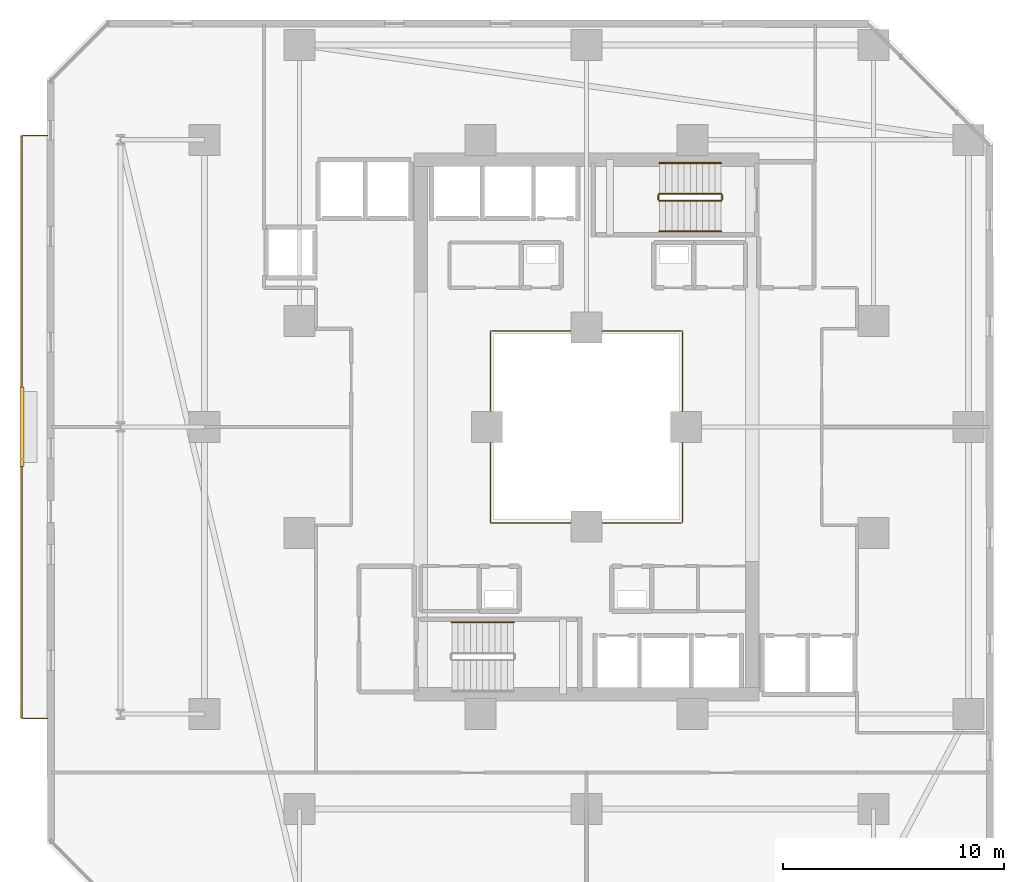
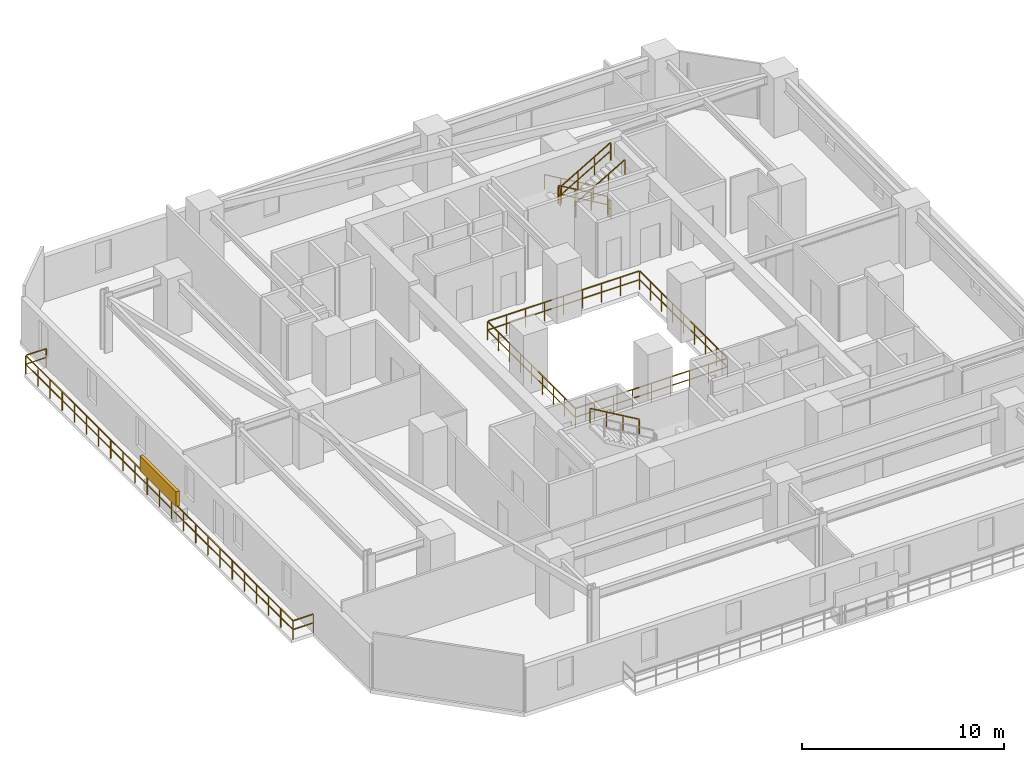
# One storey, part 30 of 33: 9 railings, 1 shading device.
"""IFC4 building model written with IfcOpenShell, lengths in metres."""

from ifc_helpers import new_model, si_unit, direction, frame, origin, origin_2d, place, context, subcontext, project, spatial, rectangle, extrude, material, type_object, element, save


model = new_model("IFC4")

# Units and contexts
model_context = context("Model", 3, precision=1e-05, world=origin(), true_north=direction((0.0, 1.0)))
body_context = subcontext(model_context, "Body", "Model", "MODEL_VIEW")
ifc_project = project(units=[si_unit("LENGTHUNIT", "METRE"), si_unit("AREAUNIT", "SQUARE_METRE"), si_unit("VOLUMEUNIT", "CUBIC_METRE"), si_unit("PLANEANGLEUNIT", "RADIAN"), si_unit("MASSUNIT", "GRAM", prefix="KILO")], contexts=[model_context])

# Site, building, storey
site_placement = place(None, origin())
site = spatial("IfcSite", under=ifc_project, at=site_placement, CompositionType="ELEMENT")
building_placement = place(site_placement, origin())
building = spatial("IfcBuilding", under=site, at=building_placement, Name="Thornwick Lancets Civic Towers", CompositionType="ELEMENT")
storey_placement = place(building_placement, frame((0.0, 0.0, 35.10009765625)))
storey = spatial("IfcBuildingStorey", under=building, at=storey_placement, Name="L08", CompositionType="ELEMENT", Elevation=35.10009765625)

# Railings
ifc_material_1 = material(Name="Laminated glass and bronze steel S355", Category="steel")
railing_type_1 = type_object("IfcRailingType", Name="RAIL_ATRIUM_GUARD", PredefinedType="BALUSTRADE", material=ifc_material_1)
railing_1_placement = place(storey_placement, frame((21.159912109375, 22.659912109375, 0.0)))
element("IfcRailing", 1, at=railing_1_placement, inside=storey, type_object=railing_type_1, Name="L08 Tower A Central Atrium Guard Balustrade", PredefinedType="BALUSTRADE", context=body_context, shape_type="SweptSolid", body=[
    extrude(rectangle(XDim=0.048095703125, YDim=0.048095703125, at=origin_2d()), frame((0.0, 0.0, 1.1259765625), z_axis=(1.0, 0.0, 0.0), x_axis=(0.0, 1.0, 0.0)), (0.0, 0.0, 1.0), 8.64892578125),
    extrude(rectangle(XDim=0.0419921875, YDim=0.0419921875, at=origin_2d()), frame((0.03759765625, 0.0, 0.597900390625), z_axis=(1.0, 0.0, 0.0), x_axis=(0.0, 1.0, 0.0)), (0.0, 0.0, 1.0), 1.010009765625),
    extrude(rectangle(XDim=0.0419921875, YDim=0.0419921875, at=origin_2d()), frame((1.12255859375, 0.0, 0.597900390625), z_axis=(1.0, 0.0, 0.0), x_axis=(0.0, 1.0, 0.0)), (0.0, 0.0, 1.0), 1.010009765625),
    extrude(rectangle(XDim=0.0419921875, YDim=0.0419921875, at=origin_2d()), frame((2.20751953125, 0.0, 0.597900390625), z_axis=(1.0, 0.0, 0.0), x_axis=(0.0, 1.0, 0.0)), (0.0, 0.0, 1.0), 1.010009765625),
    extrude(rectangle(XDim=0.0419921875, YDim=0.0419921875, at=origin_2d()), frame((3.29248046875, 0.0, 0.597900390625), z_axis=(1.0, 0.0, 0.0), x_axis=(0.0, 1.0, 0.0)), (0.0, 0.0, 1.0), 1.010009765625),
    extrude(rectangle(XDim=0.0419921875, YDim=0.0419921875, at=origin_2d()), frame((4.377685546875, 0.0, 0.597900390625), z_axis=(1.0, 0.0, 0.0), x_axis=(0.0, 1.0, 0.0)), (0.0, 0.0, 1.0), 1.010009765625),
    extrude(rectangle(XDim=0.0419921875, YDim=0.0419921875, at=origin_2d()), frame((5.462646484375, 0.0, 0.597900390625), z_axis=(1.0, 0.0, 0.0), x_axis=(0.0, 1.0, 0.0)), (0.0, 0.0, 1.0), 1.010009765625),
    extrude(rectangle(XDim=0.0419921875, YDim=0.0419921875, at=origin_2d()), frame((6.547607421875, 0.0, 0.597900390625), z_axis=(1.0, 0.0, 0.0), x_axis=(0.0, 1.0, 0.0)), (0.0, 0.0, 1.0), 1.010009765625),
    extrude(rectangle(XDim=0.0419921875, YDim=0.0419921875, at=origin_2d()), frame((7.632568359375, 0.0, 0.597900390625), z_axis=(1.0, 0.0, 0.0), x_axis=(0.0, 1.0, 0.0)), (0.0, 0.0, 1.0), 1.010009765625),
    extrude(rectangle(XDim=0.048095703125, YDim=0.048095703125, at=origin_2d()), frame((8.68017578125, 0.03125, 1.1259765625), z_axis=(0.0, 1.0, 0.0), x_axis=(-1.0, 0.0, 0.0)), (0.0, 0.0, 1.0), 8.61767578125),
    extrude(rectangle(XDim=0.0419921875, YDim=0.0419921875, at=origin_2d()), frame((8.68017578125, 0.03759765625, 0.597900390625), z_axis=(0.0, 1.0, 0.0), x_axis=(-1.0, 0.0, 0.0)), (0.0, 0.0, 1.0), 1.010009765625),
    extrude(rectangle(XDim=0.0419921875, YDim=0.0419921875, at=origin_2d()), frame((8.68017578125, 1.12255859375, 0.597900390625), z_axis=(0.0, 1.0, 0.0), x_axis=(-1.0, 0.0, 0.0)), (0.0, 0.0, 1.0), 1.010009765625),
    extrude(rectangle(XDim=0.0419921875, YDim=0.0419921875, at=origin_2d()), frame((8.68017578125, 2.20751953125, 0.597900390625), z_axis=(0.0, 1.0, 0.0), x_axis=(-1.0, 0.0, 0.0)), (0.0, 0.0, 1.0), 1.010009765625),
    extrude(rectangle(XDim=0.0419921875, YDim=0.0419921875, at=origin_2d()), frame((8.68017578125, 3.29248046875, 0.597900390625), z_axis=(0.0, 1.0, 0.0), x_axis=(-1.0, 0.0, 0.0)), (0.0, 0.0, 1.0), 1.010009765625),
    extrude(rectangle(XDim=0.0419921875, YDim=0.0419921875, at=origin_2d()), frame((8.68017578125, 4.377685546875, 0.597900390625), z_axis=(0.0, 1.0, 0.0), x_axis=(-1.0, 0.0, 0.0)), (0.0, 0.0, 1.0), 1.010009765625),
    extrude(rectangle(XDim=0.0419921875, YDim=0.0419921875, at=origin_2d()), frame((8.68017578125, 5.462646484375, 0.597900390625), z_axis=(0.0, 1.0, 0.0), x_axis=(-1.0, 0.0, 0.0)), (0.0, 0.0, 1.0), 1.010009765625),
    extrude(rectangle(XDim=0.0419921875, YDim=0.0419921875, at=origin_2d()), frame((8.68017578125, 6.547607421875, 0.597900390625), z_axis=(0.0, 1.0, 0.0), x_axis=(-1.0, 0.0, 0.0)), (0.0, 0.0, 1.0), 1.010009765625),
    extrude(rectangle(XDim=0.0419921875, YDim=0.0419921875, at=origin_2d()), frame((8.68017578125, 7.632568359375, 0.597900390625), z_axis=(0.0, 1.0, 0.0), x_axis=(-1.0, 0.0, 0.0)), (0.0, 0.0, 1.0), 1.010009765625),
    extrude(rectangle(XDim=0.048095703125, YDim=0.048095703125, at=origin_2d()), frame((8.64892578125, 8.68017578125, 1.1259765625), z_axis=(-1.0, 0.0, 0.0), x_axis=(0.0, -1.0, 0.0)), (0.0, 0.0, 1.0), 8.61767578125),
    extrude(rectangle(XDim=0.0419921875, YDim=0.0419921875, at=origin_2d()), frame((8.642578125, 8.68017578125, 0.597900390625), z_axis=(-1.0, 0.0, 0.0), x_axis=(0.0, -1.0, 0.0)), (0.0, 0.0, 1.0), 1.010009765625),
    extrude(rectangle(XDim=0.0419921875, YDim=0.0419921875, at=origin_2d()), frame((7.5576171875, 8.68017578125, 0.597900390625), z_axis=(-1.0, 0.0, 0.0), x_axis=(0.0, -1.0, 0.0)), (0.0, 0.0, 1.0), 1.010009765625),
    extrude(rectangle(XDim=0.0419921875, YDim=0.0419921875, at=origin_2d()), frame((6.47265625, 8.68017578125, 0.597900390625), z_axis=(-1.0, 0.0, 0.0), x_axis=(0.0, -1.0, 0.0)), (0.0, 0.0, 1.0), 1.010009765625),
    extrude(rectangle(XDim=0.0419921875, YDim=0.0419921875, at=origin_2d()), frame((5.3876953125, 8.68017578125, 0.597900390625), z_axis=(-1.0, 0.0, 0.0), x_axis=(0.0, -1.0, 0.0)), (0.0, 0.0, 1.0), 1.010009765625),
    extrude(rectangle(XDim=0.0419921875, YDim=0.0419921875, at=origin_2d()), frame((4.302490234375, 8.68017578125, 0.597900390625), z_axis=(-1.0, 0.0, 0.0), x_axis=(0.0, -1.0, 0.0)), (0.0, 0.0, 1.0), 1.010009765625),
    extrude(rectangle(XDim=0.0419921875, YDim=0.0419921875, at=origin_2d()), frame((3.217529296875, 8.68017578125, 0.597900390625), z_axis=(-1.0, 0.0, 0.0), x_axis=(0.0, -1.0, 0.0)), (0.0, 0.0, 1.0), 1.010009765625),
    extrude(rectangle(XDim=0.0419921875, YDim=0.0419921875, at=origin_2d()), frame((2.132568359375, 8.68017578125, 0.597900390625), z_axis=(-1.0, 0.0, 0.0), x_axis=(0.0, -1.0, 0.0)), (0.0, 0.0, 1.0), 1.010009765625),
    extrude(rectangle(XDim=0.0419921875, YDim=0.0419921875, at=origin_2d()), frame((1.047607421875, 8.68017578125, 0.597900390625), z_axis=(-1.0, 0.0, 0.0), x_axis=(0.0, -1.0, 0.0)), (0.0, 0.0, 1.0), 1.010009765625),
    extrude(rectangle(XDim=0.048095703125, YDim=0.048095703125, at=origin_2d()), frame((0.0, 8.64892578125, 1.1259765625), z_axis=(0.0, -1.0, 0.0), x_axis=(1.0, 0.0, 0.0)), (0.0, 0.0, 1.0), 8.64892578125),
    extrude(rectangle(XDim=0.0419921875, YDim=0.0419921875, at=origin_2d()), frame((0.0, 8.642578125, 0.597900390625), z_axis=(0.0, -1.0, 0.0), x_axis=(1.0, 0.0, 0.0)), (0.0, 0.0, 1.0), 1.010009765625),
    extrude(rectangle(XDim=0.0419921875, YDim=0.0419921875, at=origin_2d()), frame((0.0, 7.5576171875, 0.597900390625), z_axis=(0.0, -1.0, 0.0), x_axis=(1.0, 0.0, 0.0)), (0.0, 0.0, 1.0), 1.010009765625),
    extrude(rectangle(XDim=0.0419921875, YDim=0.0419921875, at=origin_2d()), frame((0.0, 6.47265625, 0.597900390625), z_axis=(0.0, -1.0, 0.0), x_axis=(1.0, 0.0, 0.0)), (0.0, 0.0, 1.0), 1.010009765625),
    extrude(rectangle(XDim=0.0419921875, YDim=0.0419921875, at=origin_2d()), frame((0.0, 5.3876953125, 0.597900390625), z_axis=(0.0, -1.0, 0.0), x_axis=(1.0, 0.0, 0.0)), (0.0, 0.0, 1.0), 1.010009765625),
    extrude(rectangle(XDim=0.0419921875, YDim=0.0419921875, at=origin_2d()), frame((0.0, 4.302490234375, 0.597900390625), z_axis=(0.0, -1.0, 0.0), x_axis=(1.0, 0.0, 0.0)), (0.0, 0.0, 1.0), 1.010009765625),
    extrude(rectangle(XDim=0.0419921875, YDim=0.0419921875, at=origin_2d()), frame((0.0, 3.217529296875, 0.597900390625), z_axis=(0.0, -1.0, 0.0), x_axis=(1.0, 0.0, 0.0)), (0.0, 0.0, 1.0), 1.010009765625),
    extrude(rectangle(XDim=0.0419921875, YDim=0.0419921875, at=origin_2d()), frame((0.0, 2.132568359375, 0.597900390625), z_axis=(0.0, -1.0, 0.0), x_axis=(1.0, 0.0, 0.0)), (0.0, 0.0, 1.0), 1.010009765625),
    extrude(rectangle(XDim=0.0419921875, YDim=0.0419921875, at=origin_2d()), frame((0.0, 1.047607421875, 0.597900390625), z_axis=(0.0, -1.0, 0.0), x_axis=(1.0, 0.0, 0.0)), (0.0, 0.0, 1.0), 1.010009765625),
    extrude(rectangle(XDim=0.0419921875, YDim=0.0419921875, at=origin_2d()), origin(), (0.0, 0.0, 1.0), 1.095703125),
    extrude(rectangle(XDim=0.0419921875, YDim=0.0419921875, at=origin_2d()), frame((1.0849609375, 0.0, 0.0)), (0.0, 0.0, 1.0), 1.095703125),
    extrude(rectangle(XDim=0.0419921875, YDim=0.0419921875, at=origin_2d()), frame((2.169921875, 0.0, 0.0)), (0.0, 0.0, 1.0), 1.095703125),
    extrude(rectangle(XDim=0.0419921875, YDim=0.0419921875, at=origin_2d()), frame((3.255126953125, 0.0, 0.0)), (0.0, 0.0, 1.0), 1.095703125),
    extrude(rectangle(XDim=0.0419921875, YDim=0.0419921875, at=origin_2d()), frame((4.340087890625, 0.0, 0.0)), (0.0, 0.0, 1.0), 1.095703125),
    extrude(rectangle(XDim=0.0419921875, YDim=0.0419921875, at=origin_2d()), frame((5.425048828125, 0.0, 0.0)), (0.0, 0.0, 1.0), 1.095703125),
    extrude(rectangle(XDim=0.0419921875, YDim=0.0419921875, at=origin_2d()), frame((6.51025390625, 0.0, 0.0)), (0.0, 0.0, 1.0), 1.095703125),
    extrude(rectangle(XDim=0.0419921875, YDim=0.0419921875, at=origin_2d()), frame((7.59521484375, 0.0, 0.0)), (0.0, 0.0, 1.0), 1.095703125),
    extrude(rectangle(XDim=0.0419921875, YDim=0.0419921875, at=origin_2d()), frame((8.68017578125, 0.0, 0.0)), (0.0, 0.0, 1.0), 1.095703125),
    extrude(rectangle(XDim=0.0419921875, YDim=0.0419921875, at=origin_2d()), frame((8.68017578125, 1.0849609375, 0.0)), (0.0, 0.0, 1.0), 1.095703125),
    extrude(rectangle(XDim=0.0419921875, YDim=0.0419921875, at=origin_2d()), frame((8.68017578125, 2.169921875, 0.0)), (0.0, 0.0, 1.0), 1.095703125),
    extrude(rectangle(XDim=0.0419921875, YDim=0.0419921875, at=origin_2d()), frame((8.68017578125, 3.255126953125, 0.0)), (0.0, 0.0, 1.0), 1.095703125),
    extrude(rectangle(XDim=0.0419921875, YDim=0.0419921875, at=origin_2d()), frame((8.68017578125, 4.340087890625, 0.0)), (0.0, 0.0, 1.0), 1.095703125),
    extrude(rectangle(XDim=0.0419921875, YDim=0.0419921875, at=origin_2d()), frame((8.68017578125, 5.425048828125, 0.0)), (0.0, 0.0, 1.0), 1.095703125),
    extrude(rectangle(XDim=0.0419921875, YDim=0.0419921875, at=origin_2d()), frame((8.68017578125, 6.51025390625, 0.0)), (0.0, 0.0, 1.0), 1.095703125),
    extrude(rectangle(XDim=0.0419921875, YDim=0.0419921875, at=origin_2d()), frame((8.68017578125, 7.59521484375, 0.0)), (0.0, 0.0, 1.0), 1.095703125),
    extrude(rectangle(XDim=0.0419921875, YDim=0.0419921875, at=origin_2d()), frame((8.68017578125, 8.68017578125, 0.0)), (0.0, 0.0, 1.0), 1.095703125),
    extrude(rectangle(XDim=0.0419921875, YDim=0.0419921875, at=origin_2d()), frame((7.59521484375, 8.68017578125, 0.0)), (0.0, 0.0, 1.0), 1.095703125),
    extrude(rectangle(XDim=0.0419921875, YDim=0.0419921875, at=origin_2d()), frame((6.51025390625, 8.68017578125, 0.0)), (0.0, 0.0, 1.0), 1.095703125),
    extrude(rectangle(XDim=0.0419921875, YDim=0.0419921875, at=origin_2d()), frame((5.425048828125, 8.68017578125, 0.0)), (0.0, 0.0, 1.0), 1.095703125),
    extrude(rectangle(XDim=0.0419921875, YDim=0.0419921875, at=origin_2d()), frame((4.340087890625, 8.68017578125, 0.0)), (0.0, 0.0, 1.0), 1.095703125),
    extrude(rectangle(XDim=0.0419921875, YDim=0.0419921875, at=origin_2d()), frame((3.255126953125, 8.68017578125, 0.0)), (0.0, 0.0, 1.0), 1.095703125),
    extrude(rectangle(XDim=0.0419921875, YDim=0.0419921875, at=origin_2d()), frame((2.169921875, 8.68017578125, 0.0)), (0.0, 0.0, 1.0), 1.095703125),
    extrude(rectangle(XDim=0.0419921875, YDim=0.0419921875, at=origin_2d()), frame((1.0849609375, 8.68017578125, 0.0)), (0.0, 0.0, 1.0), 1.095703125),
    extrude(rectangle(XDim=0.0419921875, YDim=0.0419921875, at=origin_2d()), frame((0.0, 8.68017578125, 0.0)), (0.0, 0.0, 1.0), 1.095703125),
    extrude(rectangle(XDim=0.0419921875, YDim=0.0419921875, at=origin_2d()), frame((0.0, 7.59521484375, 0.0)), (0.0, 0.0, 1.0), 1.095703125),
    extrude(rectangle(XDim=0.0419921875, YDim=0.0419921875, at=origin_2d()), frame((0.0, 6.51025390625, 0.0)), (0.0, 0.0, 1.0), 1.095703125),
    extrude(rectangle(XDim=0.0419921875, YDim=0.0419921875, at=origin_2d()), frame((0.0, 5.425048828125, 0.0)), (0.0, 0.0, 1.0), 1.095703125),
    extrude(rectangle(XDim=0.0419921875, YDim=0.0419921875, at=origin_2d()), frame((0.0, 4.340087890625, 0.0)), (0.0, 0.0, 1.0), 1.095703125),
    extrude(rectangle(XDim=0.0419921875, YDim=0.0419921875, at=origin_2d()), frame((0.0, 3.255126953125, 0.0)), (0.0, 0.0, 1.0), 1.095703125),
    extrude(rectangle(XDim=0.0419921875, YDim=0.0419921875, at=origin_2d()), frame((0.0, 2.169921875, 0.0)), (0.0, 0.0, 1.0), 1.095703125),
    extrude(rectangle(XDim=0.0419921875, YDim=0.0419921875, at=origin_2d()), frame((0.0, 1.0849609375, 0.0)), (0.0, 0.0, 1.0), 1.095703125),
])
ifc_material_2 = material(Name="Brushed stainless steel S355", Category="steel")
railing_type_2 = type_object("IfcRailingType", Name="RAIL_HANDRAIL", PredefinedType="HANDRAIL", material=ifc_material_2)
for number, where, name in (
    (2, (22.199951171875, 18.14990234375, 1.963623046875), "L08 ST-A1 stair handrail 2"),
    (3, (31.60009765625, 38.949951171875, 0.16357421875), "L08 ST-A2 stair handrail 1"),
):
    element("IfcRailing", number, at=place(storey_placement, frame(where)), inside=storey, type_object=railing_type_2, Name=name, PredefinedType="HANDRAIL", context=body_context, shape_type="SweptSolid", body=[
        extrude(rectangle(XDim=0.048095703125, YDim=0.048095703125, at=origin_2d()), frame((0.0, 0.0, 0.8857421875), z_axis=(-0.863393664356, 0.0, 0.504530851732), x_axis=(0.0, -1.0, 0.0)), (0.0, 0.0, 1.0), 3.2431640625),
        extrude(rectangle(XDim=0.0419921875, YDim=0.0419921875, at=origin_2d()), origin(), (0.0, 0.0, 1.0), 0.855712890625),
        extrude(rectangle(XDim=0.0419921875, YDim=0.0419921875, at=origin_2d()), frame((-0.933349609375, 0.0, 0.54541015625)), (0.0, 0.0, 1.0), 0.855712890625),
        extrude(rectangle(XDim=0.0419921875, YDim=0.0419921875, at=origin_2d()), frame((-1.86669921875, 0.0, 1.0908203125)), (0.0, 0.0, 1.0), 0.855712890625),
        extrude(rectangle(XDim=0.0419921875, YDim=0.0419921875, at=origin_2d()), frame((-2.800048828125, 0.0, 1.63623046875)), (0.0, 0.0, 1.0), 0.855712890625),
    ])
railing_2_placement = place(storey_placement, frame((28.800048828125, 35.85009765625, 1.963623046875)))
element("IfcRailing", 4, at=railing_2_placement, inside=storey, type_object=railing_type_2, Name="L08 ST-A2 stair handrail 2", PredefinedType="HANDRAIL", context=body_context, shape_type="SweptSolid", body=[
    extrude(rectangle(XDim=0.048095703125, YDim=0.048095703125, at=origin_2d()), frame((0.0, 0.0, 0.8857421875), z_axis=(0.863393664356, 0.0, 0.504530851732), x_axis=(0.0, 1.0, 0.0)), (0.0, 0.0, 1.0), 3.2431640625),
    extrude(rectangle(XDim=0.0419921875, YDim=0.0419921875, at=origin_2d()), origin(), (0.0, 0.0, 1.0), 0.855712890625),
    extrude(rectangle(XDim=0.0419921875, YDim=0.0419921875, at=origin_2d()), frame((0.933349609375, 0.0, 0.54541015625)), (0.0, 0.0, 1.0), 0.855712890625),
    extrude(rectangle(XDim=0.0419921875, YDim=0.0419921875, at=origin_2d()), frame((1.86669921875, 0.0, 1.0908203125)), (0.0, 0.0, 1.0), 0.855712890625),
    extrude(rectangle(XDim=0.0419921875, YDim=0.0419921875, at=origin_2d()), frame((2.800048828125, 0.0, 1.63623046875)), (0.0, 0.0, 1.0), 0.855712890625),
])
ifc_material_3 = material(Name="Steel S355JR", Category="steel")
railing_type_3 = type_object("IfcRailingType", Name="RAIL_STAIR_GUARD", PredefinedType="GUARDRAIL", material=ifc_material_3)
railing_3_placement = place(storey_placement, frame((31.60009765625, 37.550048828125, 0.16357421875)))
element("IfcRailing", 5, at=railing_3_placement, inside=storey, type_object=railing_type_3, Name="L08 ST-A2 stair guard 1", PredefinedType="GUARDRAIL", context=body_context, shape_type="SweptSolid", body=[
    extrude(rectangle(XDim=0.048095703125, YDim=0.048095703125, at=origin_2d()), frame((0.0, 0.0, 1.076171875), z_axis=(-0.863393664356, 0.0, 0.504530851732), x_axis=(0.0, -1.0, 0.0)), (0.0, 0.0, 1.0), 3.2431640625),
    extrude(rectangle(XDim=0.0419921875, YDim=0.0419921875, at=origin_2d()), frame((-0.032470703125, 0.0, 0.591064453125), z_axis=(-0.863393664356, 0.0, 0.504530851732), x_axis=(0.0, -1.0, 0.0)), (0.0, 0.0, 1.0), 1.006103515625),
    extrude(rectangle(XDim=0.0419921875, YDim=0.0419921875, at=origin_2d()), frame((-0.9658203125, 0.0, 1.136474609375), z_axis=(-0.863393664356, 0.0, 0.504530851732), x_axis=(0.0, -1.0, 0.0)), (0.0, 0.0, 1.0), 1.006103515625),
    extrude(rectangle(XDim=0.0419921875, YDim=0.0419921875, at=origin_2d()), frame((-1.899169921875, 0.0, 1.681884765625), z_axis=(-0.863393664356, 0.0, 0.504530851732), x_axis=(0.0, -1.0, 0.0)), (0.0, 0.0, 1.0), 1.006103515625),
    extrude(rectangle(XDim=0.0419921875, YDim=0.0419921875, at=origin_2d()), origin(), (0.0, 0.0, 1.0), 1.0458984375),
    extrude(rectangle(XDim=0.0419921875, YDim=0.0419921875, at=origin_2d()), frame((-0.933349609375, 0.0, 0.54541015625)), (0.0, 0.0, 1.0), 1.0458984375),
    extrude(rectangle(XDim=0.0419921875, YDim=0.0419921875, at=origin_2d()), frame((-1.86669921875, 0.0, 1.0908203125)), (0.0, 0.0, 1.0), 1.0458984375),
    extrude(rectangle(XDim=0.0419921875, YDim=0.0419921875, at=origin_2d()), frame((-2.800048828125, 0.0, 1.63623046875)), (0.0, 0.0, 1.0), 1.0458984375),
])
railing_4_placement = place(storey_placement, frame((28.75, 37.5, 1.7998046875)))
element("IfcRailing", 6, at=railing_4_placement, inside=storey, type_object=railing_type_3, Name="L08 ST-A2 stair guard 2", PredefinedType="GUARDRAIL", context=body_context, shape_type="SweptSolid", body=[
    extrude(rectangle(XDim=0.048095703125, YDim=0.048095703125, at=origin_2d()), frame((0.0, 0.0, 1.076171875), z_axis=(0.0, -1.0, 0.0), x_axis=(1.0, 0.0, 0.0)), (0.0, 0.0, 1.0), 0.199951171875),
    extrude(rectangle(XDim=0.0419921875, YDim=0.0419921875, at=origin_2d()), frame((0.0, -0.03759765625, 0.572021484375), z_axis=(0.0, -1.0, 0.0), x_axis=(1.0, 0.0, 0.0)), (0.0, 0.0, 1.0), 0.125),
    extrude(rectangle(XDim=0.0419921875, YDim=0.0419921875, at=origin_2d()), origin(), (0.0, 0.0, 1.0), 1.0458984375),
    extrude(rectangle(XDim=0.0419921875, YDim=0.0419921875, at=origin_2d()), frame((0.0, -0.199951171875, 0.0)), (0.0, 0.0, 1.0), 1.0458984375),
])
railing_5_placement = place(storey_placement, frame((28.800048828125, 37.25, 1.963623046875)))
element("IfcRailing", 7, at=railing_5_placement, inside=storey, type_object=railing_type_3, Name="L08 ST-A2 stair guard 3", PredefinedType="GUARDRAIL", context=body_context, shape_type="SweptSolid", body=[
    extrude(rectangle(XDim=0.048095703125, YDim=0.048095703125, at=origin_2d()), frame((0.0, 0.0, 1.076171875), z_axis=(0.863393664356, 0.0, 0.504530851732), x_axis=(0.0, 1.0, 0.0)), (0.0, 0.0, 1.0), 3.2431640625),
    extrude(rectangle(XDim=0.0419921875, YDim=0.0419921875, at=origin_2d()), frame((0.032470703125, 0.0, 0.591064453125), z_axis=(0.863393664356, 0.0, 0.504530851732), x_axis=(0.0, 1.0, 0.0)), (0.0, 0.0, 1.0), 1.006103515625),
    extrude(rectangle(XDim=0.0419921875, YDim=0.0419921875, at=origin_2d()), frame((0.9658203125, 0.0, 1.136474609375), z_axis=(0.863393664356, 0.0, 0.504530851732), x_axis=(0.0, 1.0, 0.0)), (0.0, 0.0, 1.0), 1.006103515625),
    extrude(rectangle(XDim=0.0419921875, YDim=0.0419921875, at=origin_2d()), frame((1.899169921875, 0.0, 1.681884765625), z_axis=(0.863393664356, 0.0, 0.504530851732), x_axis=(0.0, 1.0, 0.0)), (0.0, 0.0, 1.0), 1.006103515625),
    extrude(rectangle(XDim=0.0419921875, YDim=0.0419921875, at=origin_2d()), origin(), (0.0, 0.0, 1.0), 1.0458984375),
    extrude(rectangle(XDim=0.0419921875, YDim=0.0419921875, at=origin_2d()), frame((0.933349609375, 0.0, 0.54541015625)), (0.0, 0.0, 1.0), 1.0458984375),
    extrude(rectangle(XDim=0.0419921875, YDim=0.0419921875, at=origin_2d()), frame((1.86669921875, 0.0, 1.0908203125)), (0.0, 0.0, 1.0), 1.0458984375),
    extrude(rectangle(XDim=0.0419921875, YDim=0.0419921875, at=origin_2d()), frame((2.800048828125, 0.0, 1.63623046875)), (0.0, 0.0, 1.0), 1.0458984375),
])
railing_6_placement = place(storey_placement, frame((31.64990234375, 37.5, 0.0)))
element("IfcRailing", 8, at=railing_6_placement, inside=storey, type_object=railing_type_3, Name="L08 ST-A2 stair guard 4", PredefinedType="GUARDRAIL", context=body_context, shape_type="SweptSolid", body=[
    extrude(rectangle(XDim=0.048095703125, YDim=0.048095703125, at=origin_2d()), frame((0.0, 0.0, 1.076171875), z_axis=(0.0, -1.0, 0.0), x_axis=(1.0, 0.0, 0.0)), (0.0, 0.0, 1.0), 0.199951171875),
    extrude(rectangle(XDim=0.0419921875, YDim=0.0419921875, at=origin_2d()), frame((0.0, -0.03759765625, 0.572021484375), z_axis=(0.0, -1.0, 0.0), x_axis=(1.0, 0.0, 0.0)), (0.0, 0.0, 1.0), 0.125),
    extrude(rectangle(XDim=0.0419921875, YDim=0.0419921875, at=origin_2d()), origin(), (0.0, 0.0, 1.0), 1.0458984375),
    extrude(rectangle(XDim=0.0419921875, YDim=0.0419921875, at=origin_2d()), frame((0.0, -0.199951171875, 0.0)), (0.0, 0.0, 1.0), 1.0458984375),
])
ifc_material_4 = material(Name="Terracotta-capped laminated glass balustrade S355", Category="masonry")
railing_type_4 = type_object("IfcRailingType", Name="RAIL_TERR_GUARD", PredefinedType="GUARDRAIL", material=ifc_material_4)
railing_7_placement = place(storey_placement, frame((1.10009765625, 13.800048828125, 0.0)))
element("IfcRailing", 9, at=railing_7_placement, inside=storey, type_object=railing_type_4, Name="L08 Tower A Balcony Guard W", PredefinedType="GUARDRAIL", context=body_context, shape_type="SweptSolid", body=[
    extrude(rectangle(XDim=0.048095703125, YDim=0.048095703125, at=origin_2d()), frame((0.0, 0.0, 1.1259765625), z_axis=(-1.0, 0.0, 0.0), x_axis=(0.0, -1.0, 0.0)), (0.0, 0.0, 1.0), 1.138916015625),
    extrude(rectangle(XDim=0.0419921875, YDim=0.0419921875, at=origin_2d()), frame((-0.03759765625, 0.0, 0.597900390625), z_axis=(-1.0, 0.0, 0.0), x_axis=(0.0, -1.0, 0.0)), (0.0, 0.0, 1.0), 1.09521484375),
    extrude(rectangle(XDim=0.048095703125, YDim=0.048095703125, at=origin_2d()), frame((-1.170166015625, 0.03125, 1.1259765625), z_axis=(0.0, 1.0, 0.0), x_axis=(-1.0, 0.0, 0.0)), (0.0, 0.0, 1.0), 26.33740234375),
    extrude(rectangle(XDim=0.0419921875, YDim=0.0419921875, at=origin_2d()), frame((-1.170166015625, 0.03759765625, 0.597900390625), z_axis=(0.0, 1.0, 0.0), x_axis=(-1.0, 0.0, 0.0)), (0.0, 0.0, 1.0), 1.125),
    extrude(rectangle(XDim=0.0419921875, YDim=0.0419921875, at=origin_2d()), frame((-1.170166015625, 1.237548828125, 0.597900390625), z_axis=(0.0, 1.0, 0.0), x_axis=(-1.0, 0.0, 0.0)), (0.0, 0.0, 1.0), 1.125),
    extrude(rectangle(XDim=0.0419921875, YDim=0.0419921875, at=origin_2d()), frame((-1.170166015625, 2.4375, 0.597900390625), z_axis=(0.0, 1.0, 0.0), x_axis=(-1.0, 0.0, 0.0)), (0.0, 0.0, 1.0), 1.125),
    extrude(rectangle(XDim=0.0419921875, YDim=0.0419921875, at=origin_2d()), frame((-1.170166015625, 3.637451171875, 0.597900390625), z_axis=(0.0, 1.0, 0.0), x_axis=(-1.0, 0.0, 0.0)), (0.0, 0.0, 1.0), 1.125),
    extrude(rectangle(XDim=0.0419921875, YDim=0.0419921875, at=origin_2d()), frame((-1.170166015625, 4.83740234375, 0.597900390625), z_axis=(0.0, 1.0, 0.0), x_axis=(-1.0, 0.0, 0.0)), (0.0, 0.0, 1.0), 1.125),
    extrude(rectangle(XDim=0.0419921875, YDim=0.0419921875, at=origin_2d()), frame((-1.170166015625, 6.037353515625, 0.597900390625), z_axis=(0.0, 1.0, 0.0), x_axis=(-1.0, 0.0, 0.0)), (0.0, 0.0, 1.0), 1.125),
    extrude(rectangle(XDim=0.0419921875, YDim=0.0419921875, at=origin_2d()), frame((-1.170166015625, 7.237548828125, 0.597900390625), z_axis=(0.0, 1.0, 0.0), x_axis=(-1.0, 0.0, 0.0)), (0.0, 0.0, 1.0), 1.125),
    extrude(rectangle(XDim=0.0419921875, YDim=0.0419921875, at=origin_2d()), frame((-1.170166015625, 8.4375, 0.597900390625), z_axis=(0.0, 1.0, 0.0), x_axis=(-1.0, 0.0, 0.0)), (0.0, 0.0, 1.0), 1.125),
    extrude(rectangle(XDim=0.0419921875, YDim=0.0419921875, at=origin_2d()), frame((-1.170166015625, 9.637451171875, 0.597900390625), z_axis=(0.0, 1.0, 0.0), x_axis=(-1.0, 0.0, 0.0)), (0.0, 0.0, 1.0), 1.125),
    extrude(rectangle(XDim=0.0419921875, YDim=0.0419921875, at=origin_2d()), frame((-1.170166015625, 10.83740234375, 0.597900390625), z_axis=(0.0, 1.0, 0.0), x_axis=(-1.0, 0.0, 0.0)), (0.0, 0.0, 1.0), 1.125),
    extrude(rectangle(XDim=0.0419921875, YDim=0.0419921875, at=origin_2d()), frame((-1.170166015625, 12.037353515625, 0.597900390625), z_axis=(0.0, 1.0, 0.0), x_axis=(-1.0, 0.0, 0.0)), (0.0, 0.0, 1.0), 1.125),
    extrude(rectangle(XDim=0.0419921875, YDim=0.0419921875, at=origin_2d()), frame((-1.170166015625, 13.237548828125, 0.597900390625), z_axis=(0.0, 1.0, 0.0), x_axis=(-1.0, 0.0, 0.0)), (0.0, 0.0, 1.0), 1.125),
    extrude(rectangle(XDim=0.0419921875, YDim=0.0419921875, at=origin_2d()), frame((-1.170166015625, 14.4375, 0.597900390625), z_axis=(0.0, 1.0, 0.0), x_axis=(-1.0, 0.0, 0.0)), (0.0, 0.0, 1.0), 1.125),
    extrude(rectangle(XDim=0.0419921875, YDim=0.0419921875, at=origin_2d()), frame((-1.170166015625, 15.637451171875, 0.597900390625), z_axis=(0.0, 1.0, 0.0), x_axis=(-1.0, 0.0, 0.0)), (0.0, 0.0, 1.0), 1.125),
    extrude(rectangle(XDim=0.0419921875, YDim=0.0419921875, at=origin_2d()), frame((-1.170166015625, 16.83740234375, 0.597900390625), z_axis=(0.0, 1.0, 0.0), x_axis=(-1.0, 0.0, 0.0)), (0.0, 0.0, 1.0), 1.125),
    extrude(rectangle(XDim=0.0419921875, YDim=0.0419921875, at=origin_2d()), frame((-1.170166015625, 18.037353515625, 0.597900390625), z_axis=(0.0, 1.0, 0.0), x_axis=(-1.0, 0.0, 0.0)), (0.0, 0.0, 1.0), 1.125),
    extrude(rectangle(XDim=0.0419921875, YDim=0.0419921875, at=origin_2d()), frame((-1.170166015625, 19.2373046875, 0.597900390625), z_axis=(0.0, 1.0, 0.0), x_axis=(-1.0, 0.0, 0.0)), (0.0, 0.0, 1.0), 1.125),
    extrude(rectangle(XDim=0.0419921875, YDim=0.0419921875, at=origin_2d()), frame((-1.170166015625, 20.4375, 0.597900390625), z_axis=(0.0, 1.0, 0.0), x_axis=(-1.0, 0.0, 0.0)), (0.0, 0.0, 1.0), 1.125),
    extrude(rectangle(XDim=0.0419921875, YDim=0.0419921875, at=origin_2d()), frame((-1.170166015625, 21.637451171875, 0.597900390625), z_axis=(0.0, 1.0, 0.0), x_axis=(-1.0, 0.0, 0.0)), (0.0, 0.0, 1.0), 1.125),
    extrude(rectangle(XDim=0.0419921875, YDim=0.0419921875, at=origin_2d()), frame((-1.170166015625, 22.83740234375, 0.597900390625), z_axis=(0.0, 1.0, 0.0), x_axis=(-1.0, 0.0, 0.0)), (0.0, 0.0, 1.0), 1.125),
    extrude(rectangle(XDim=0.0419921875, YDim=0.0419921875, at=origin_2d()), frame((-1.170166015625, 24.037353515625, 0.597900390625), z_axis=(0.0, 1.0, 0.0), x_axis=(-1.0, 0.0, 0.0)), (0.0, 0.0, 1.0), 1.125),
    extrude(rectangle(XDim=0.0419921875, YDim=0.0419921875, at=origin_2d()), frame((-1.170166015625, 25.2373046875, 0.597900390625), z_axis=(0.0, 1.0, 0.0), x_axis=(-1.0, 0.0, 0.0)), (0.0, 0.0, 1.0), 1.125),
    extrude(rectangle(XDim=0.048095703125, YDim=0.048095703125, at=origin_2d()), frame((-1.138916015625, 26.39990234375, 1.1259765625), z_axis=(1.0, 0.0, 0.0), x_axis=(0.0, 1.0, 0.0)), (0.0, 0.0, 1.0), 1.138916015625),
    extrude(rectangle(XDim=0.0419921875, YDim=0.0419921875, at=origin_2d()), frame((-1.132568359375, 26.39990234375, 0.597900390625), z_axis=(1.0, 0.0, 0.0), x_axis=(0.0, 1.0, 0.0)), (0.0, 0.0, 1.0), 1.09521484375),
    extrude(rectangle(XDim=0.0419921875, YDim=0.0419921875, at=origin_2d()), origin(), (0.0, 0.0, 1.0), 1.095703125),
    extrude(rectangle(XDim=0.0419921875, YDim=0.0419921875, at=origin_2d()), frame((-1.170166015625, 0.0, 0.0)), (0.0, 0.0, 1.0), 1.095703125),
    extrude(rectangle(XDim=0.0419921875, YDim=0.0419921875, at=origin_2d()), frame((-1.170166015625, 1.199951171875, 0.0)), (0.0, 0.0, 1.0), 1.095703125),
    extrude(rectangle(XDim=0.0419921875, YDim=0.0419921875, at=origin_2d()), frame((-1.170166015625, 2.39990234375, 0.0)), (0.0, 0.0, 1.0), 1.095703125),
    extrude(rectangle(XDim=0.0419921875, YDim=0.0419921875, at=origin_2d()), frame((-1.170166015625, 3.60009765625, 0.0)), (0.0, 0.0, 1.0), 1.095703125),
    extrude(rectangle(XDim=0.0419921875, YDim=0.0419921875, at=origin_2d()), frame((-1.170166015625, 4.800048828125, 0.0)), (0.0, 0.0, 1.0), 1.095703125),
    extrude(rectangle(XDim=0.0419921875, YDim=0.0419921875, at=origin_2d()), frame((-1.170166015625, 6.0, 0.0)), (0.0, 0.0, 1.0), 1.095703125),
    extrude(rectangle(XDim=0.0419921875, YDim=0.0419921875, at=origin_2d()), frame((-1.170166015625, 7.199951171875, 0.0)), (0.0, 0.0, 1.0), 1.095703125),
    extrude(rectangle(XDim=0.0419921875, YDim=0.0419921875, at=origin_2d()), frame((-1.170166015625, 8.39990234375, 0.0)), (0.0, 0.0, 1.0), 1.095703125),
    extrude(rectangle(XDim=0.0419921875, YDim=0.0419921875, at=origin_2d()), frame((-1.170166015625, 9.599853515625, 0.0)), (0.0, 0.0, 1.0), 1.095703125),
    extrude(rectangle(XDim=0.0419921875, YDim=0.0419921875, at=origin_2d()), frame((-1.170166015625, 10.800048828125, 0.0)), (0.0, 0.0, 1.0), 1.095703125),
    extrude(rectangle(XDim=0.0419921875, YDim=0.0419921875, at=origin_2d()), frame((-1.170166015625, 12.0, 0.0)), (0.0, 0.0, 1.0), 1.095703125),
    extrude(rectangle(XDim=0.0419921875, YDim=0.0419921875, at=origin_2d()), frame((-1.170166015625, 13.199951171875, 0.0)), (0.0, 0.0, 1.0), 1.095703125),
    extrude(rectangle(XDim=0.0419921875, YDim=0.0419921875, at=origin_2d()), frame((-1.170166015625, 14.39990234375, 0.0)), (0.0, 0.0, 1.0), 1.095703125),
    extrude(rectangle(XDim=0.0419921875, YDim=0.0419921875, at=origin_2d()), frame((-1.170166015625, 15.599853515625, 0.0)), (0.0, 0.0, 1.0), 1.095703125),
    extrude(rectangle(XDim=0.0419921875, YDim=0.0419921875, at=origin_2d()), frame((-1.170166015625, 16.800048828125, 0.0)), (0.0, 0.0, 1.0), 1.095703125),
    extrude(rectangle(XDim=0.0419921875, YDim=0.0419921875, at=origin_2d()), frame((-1.170166015625, 18.0, 0.0)), (0.0, 0.0, 1.0), 1.095703125),
    extrude(rectangle(XDim=0.0419921875, YDim=0.0419921875, at=origin_2d()), frame((-1.170166015625, 19.199951171875, 0.0)), (0.0, 0.0, 1.0), 1.095703125),
    extrude(rectangle(XDim=0.0419921875, YDim=0.0419921875, at=origin_2d()), frame((-1.170166015625, 20.39990234375, 0.0)), (0.0, 0.0, 1.0), 1.095703125),
    extrude(rectangle(XDim=0.0419921875, YDim=0.0419921875, at=origin_2d()), frame((-1.170166015625, 21.599853515625, 0.0)), (0.0, 0.0, 1.0), 1.095703125),
    extrude(rectangle(XDim=0.0419921875, YDim=0.0419921875, at=origin_2d()), frame((-1.170166015625, 22.7998046875, 0.0)), (0.0, 0.0, 1.0), 1.095703125),
    extrude(rectangle(XDim=0.0419921875, YDim=0.0419921875, at=origin_2d()), frame((-1.170166015625, 24.0, 0.0)), (0.0, 0.0, 1.0), 1.095703125),
    extrude(rectangle(XDim=0.0419921875, YDim=0.0419921875, at=origin_2d()), frame((-1.170166015625, 25.199951171875, 0.0)), (0.0, 0.0, 1.0), 1.095703125),
    extrude(rectangle(XDim=0.0419921875, YDim=0.0419921875, at=origin_2d()), frame((-1.170166015625, 26.39990234375, 0.0)), (0.0, 0.0, 1.0), 1.095703125),
    extrude(rectangle(XDim=0.0419921875, YDim=0.0419921875, at=origin_2d()), frame((0.0, 26.39990234375, 0.0)), (0.0, 0.0, 1.0), 1.095703125),
])

# Shading device
ifc_material_5 = material(Name="Extruded terracotta baguette solar screen", Category="masonry")
shading_device_type = type_object("IfcShadingDeviceType", Name="SHADE_BAGUETTE", PredefinedType="JALOUSIE", material=ifc_material_5)
shading_device_placement = place(storey_placement, frame((-0.06005859375, 27.0, 1.119873046875), z_axis=(0.0, 0.0, 1.0), x_axis=(0.0, 1.0, 0.0)))
element("IfcShadingDevice", 10, at=shading_device_placement, inside=storey, type_object=shading_device_type, Name="L08 Tower A Terracotta Baguette Screen W", PredefinedType="JALOUSIE", context=body_context, shape_type="SweptSolid", body=[
    extrude(rectangle(XDim=3.60009765625, YDim=0.179931640625, at=origin_2d()), origin(), (0.0, 0.0, 1.0), 0.89990234375),
])

save(model, "model.ifc")
